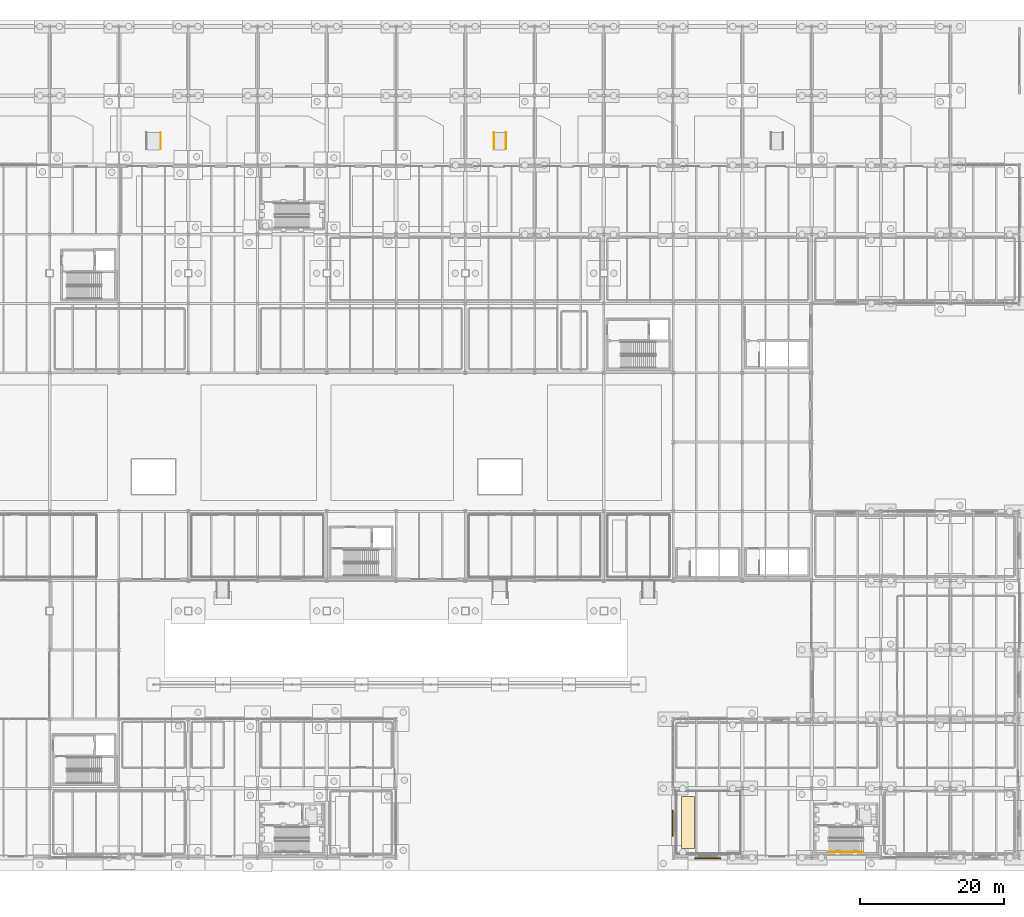
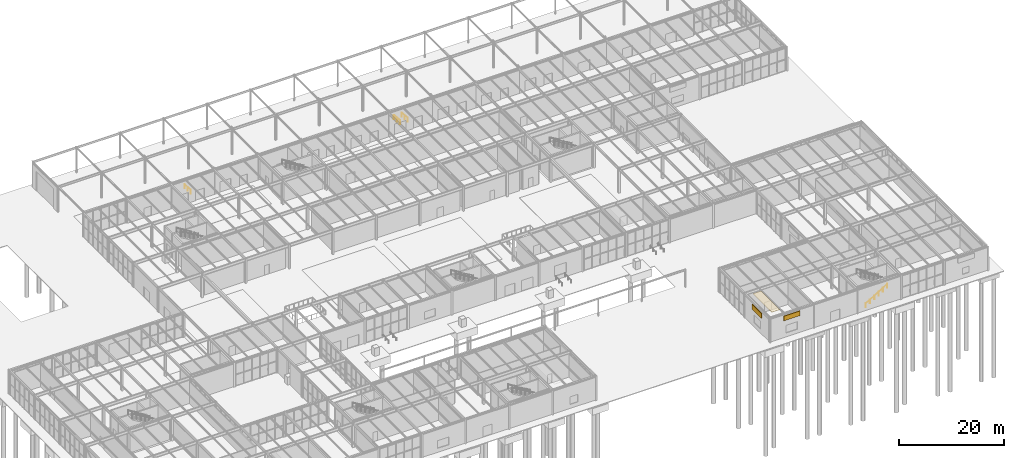
# One storey, part 137 of 142: 4 railings, 2 shading devices, 1 covering.
"""IFC4 building model written with IfcOpenShell, lengths in metres."""

from ifc_helpers import new_model, si_unit, direction, frame, origin, origin_2d, place, context, subcontext, project, spatial, polyline, rectangle, circle, outline, extrude, material, layer, layer_set, type_object, element, save


model = new_model("IFC4")

# Units and contexts
model_context = context("Model", 3, precision=1e-05, world=origin(), true_north=direction((0.0, 1.0)))
body_context = subcontext(model_context, "Body", "Model", "MODEL_VIEW")
ifc_project = project(units=[si_unit("LENGTHUNIT", "METRE"), si_unit("AREAUNIT", "SQUARE_METRE"), si_unit("VOLUMEUNIT", "CUBIC_METRE"), si_unit("PLANEANGLEUNIT", "RADIAN"), si_unit("MASSUNIT", "GRAM", prefix="KILO")], contexts=[model_context])

# Site, building, storey
site_placement = place(None, origin())
site = spatial("IfcSite", under=ifc_project, at=site_placement, CompositionType="ELEMENT")
building_placement = place(site_placement, origin())
building = spatial("IfcBuilding", under=site, at=building_placement, Name="Coralgate Yard Interchange", CompositionType="ELEMENT")
storey_placement = place(building_placement, origin())
storey = spatial("IfcBuildingStorey", under=building, at=storey_placement, Name="L00", CompositionType="ELEMENT", Elevation=0.0)

# Covering
ifc_material_1 = material(Name="Perforated marine-grade aluminium acoustic ceiling raft", Category="aluminium")
ifc_layer = layer(ifc_material_1, 0.0400390625)
ifc_layer_set = layer_set([ifc_layer], Name="Perforated marine-grade aluminium acoustic ceiling raft")
covering_type = type_object("IfcCoveringType", Name="COV-CEL1", PredefinedType="CEILING", material=ifc_layer_set)
covering_placement = place(storey_placement, frame((0.0, 0.0, 5.7451171875)))
element("IfcCovering", 1, at=covering_placement, inside=storey, type_object=covering_type, Name="Cycle Accessories Retail Unit acoustic soffit panel", PredefinedType="CEILING", context=body_context, shape_type="SweptSolid", body=[
    extrude(outline(polyline([(135.590087890625, 1.2900390625), (137.39990234375, 1.2900390625), (137.39990234375, 8.510009765625), (135.590087890625, 8.510009765625), (135.590087890625, 1.2900390625)])), origin(), (0.0, 0.0, 1.0), 0.039794921875),
])

# Railings
ifc_material_2 = material(Name="Grade 316 marine stainless steel", Category="steel")
railing_type = type_object("IfcRailingType", Name="RLG-HR900", PredefinedType="HANDRAIL", material=ifc_material_2)
railing_placement = place(storey_placement, frame((156.0, 0.77001953125, 0.166748046875)))
element("IfcRailing", 2, at=railing_placement, inside=storey, type_object=railing_type, Name="L00 ST-08 stair handrail 1", PredefinedType="HANDRAIL", context=body_context, shape_type="SweptSolid", body=[
    extrude(circle(Radius=0.02392578125, at=origin_2d()), frame((0.0, 0.0, 0.8759765625), z_axis=(0.859299802514, 0.0, 0.511472237174), x_axis=(0.0, 1.0, 0.0)), (0.0, 0.0, 1.0), 5.539306640625),
    extrude(circle(Radius=0.02099609375, at=origin_2d()), origin(), (0.0, 0.0, 1.0), 0.851318359375),
    extrude(circle(Radius=0.02099609375, at=origin_2d()), frame((0.951904296875, 0.0, 0.566650390625)), (0.0, 0.0, 1.0), 0.851318359375),
    extrude(circle(Radius=0.02099609375, at=origin_2d()), frame((1.904052734375, 0.0, 1.13330078125)), (0.0, 0.0, 1.0), 0.851318359375),
    extrude(circle(Radius=0.02099609375, at=origin_2d()), frame((2.85595703125, 0.0, 1.699951171875)), (0.0, 0.0, 1.0), 0.851318359375),
    extrude(circle(Radius=0.02099609375, at=origin_2d()), frame((3.80810546875, 0.0, 2.2666015625)), (0.0, 0.0, 1.0), 0.851318359375),
    extrude(circle(Radius=0.02099609375, at=origin_2d()), frame((4.760009765625, 0.0, 2.833251953125)), (0.0, 0.0, 1.0), 0.851318359375),
])
for number, where, name in (
    (3, (63.389892578125, 100.5, -0.179931640625), "Bus island west accessible ramp handrail R"),
    (4, (109.56005859375, 100.5, -0.179931640625), "Bus island central accessible ramp handrail L"),
    (5, (111.239990234375, 100.5, -0.179931640625), "Bus island central accessible ramp handrail R"),
):
    element("IfcRailing", number, at=place(storey_placement, frame(where)), inside=storey, type_object=railing_type, Name=name, PredefinedType="HANDRAIL", context=body_context, shape_type="SweptSolid", body=[
        extrude(circle(Radius=0.02392578125, at=origin_2d()), frame((0.0, 0.0, 0.8759765625), z_axis=(0.0, -0.997202693388, 0.07474482122), x_axis=(1.0, 0.0, 0.0)), (0.0, 0.0, 1.0), 2.286376953125),
        extrude(circle(Radius=0.02099609375, at=origin_2d()), origin(), (0.0, 0.0, 1.0), 0.851318359375),
        extrude(circle(Radius=0.02099609375, at=origin_2d()), frame((0.0, -1.14013671875, 0.08544921875)), (0.0, 0.0, 1.0), 0.851318359375),
        extrude(circle(Radius=0.02099609375, at=origin_2d()), frame((0.0, -2.280029296875, 0.1708984375)), (0.0, 0.0, 1.0), 0.851318359375),
    ])

# Shading devices
ifc_material_3 = material(Name="Marine anodised extruded aluminium stormproof louvre bank", Category="aluminium")
shading_device_type = type_object("IfcShadingDeviceType", Name="SHD-LV1", PredefinedType="JALOUSIE", material=ifc_material_3)
for number, where, z_axis, x_axis, name in (
    (6, (139.199951171875, -0.074951171875, 4.0), (0.0, 0.0, 1.0), (-1.0, 0.0, 0.0), "L00 stormproof aluminium ventilation louvre S-14-0"),
    (7, (134.324951171875, 4.800048828125, 3.81689453125), (0.0, 0.0, 1.0), (0.0, 1.0, 0.0), "L00 stormproof aluminium ventilation louvre W-14-0"),
):
    element("IfcShadingDevice", number, at=place(storey_placement, frame(where, z_axis=z_axis, x_axis=x_axis)), inside=storey, type_object=shading_device_type, Name=name, PredefinedType="JALOUSIE", context=body_context, shape_type="SweptSolid", body=[
        extrude(rectangle(XDim=3.60009765625, YDim=0.14990234375, at=origin_2d()), origin(), (0.0, 0.0, 1.0), 1.10009765625),
    ])

save(model, "model.ifc")
